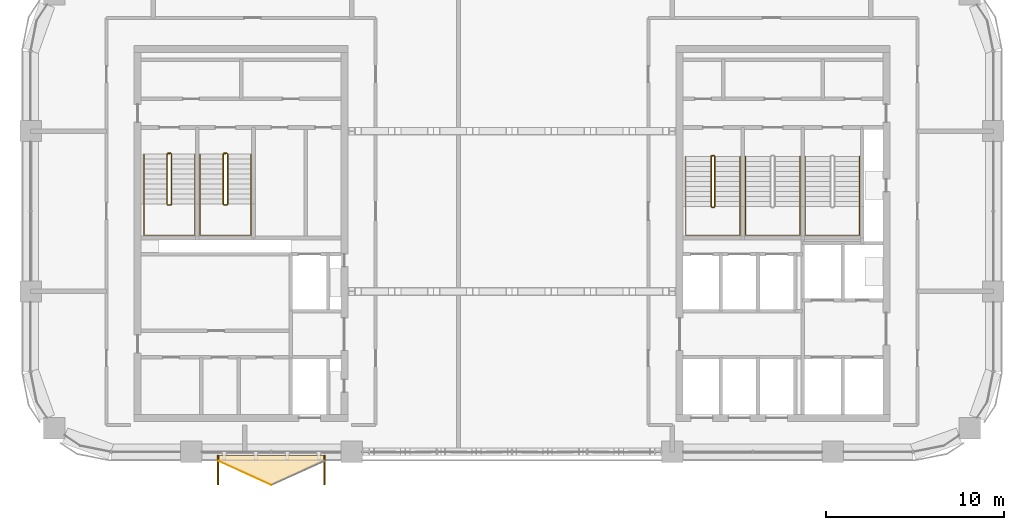
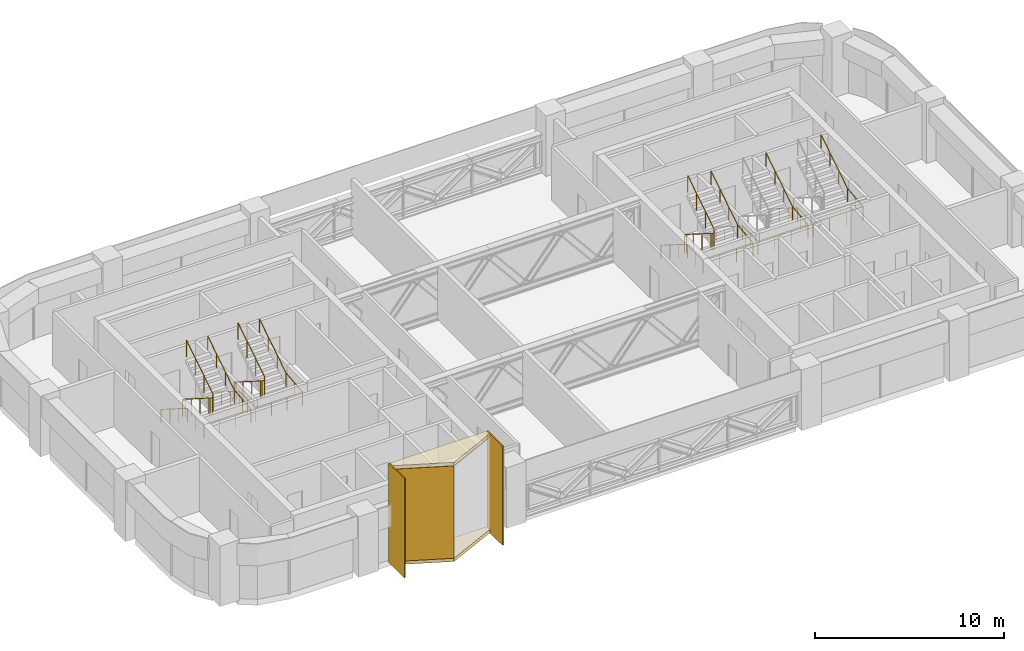
# One storey, part 13 of 14: 8 railings, 5 coverings.
"""IFC4 building model written with IfcOpenShell, lengths in metres."""

from ifc_helpers import new_model, si_unit, direction, frame, origin, origin_2d, place, context, subcontext, project, spatial, polyline, rectangle, circle, outline, extrude, material, layer, layer_set, type_object, element, save


model = new_model("IFC4")

# Units and contexts
model_context = context("Model", 3, precision=1e-05, world=origin(), true_north=direction((0.0, 1.0)))
body_context = subcontext(model_context, "Body", "Model", "MODEL_VIEW")
ifc_project = project(units=[si_unit("LENGTHUNIT", "METRE"), si_unit("AREAUNIT", "SQUARE_METRE"), si_unit("VOLUMEUNIT", "CUBIC_METRE"), si_unit("PLANEANGLEUNIT", "RADIAN"), si_unit("MASSUNIT", "GRAM", prefix="KILO")], contexts=[model_context])

# Site, building, storey
site_placement = place(None, origin())
site = spatial("IfcSite", under=ifc_project, at=site_placement, CompositionType="ELEMENT")
building_placement = place(site_placement, origin())
building = spatial("IfcBuilding", under=site, at=building_placement, Name="Tessera Arch", CompositionType="ELEMENT")
storey_placement = place(building_placement, frame((0.0, 0.0, 226.699951171875)))
storey = spatial("IfcBuildingStorey", under=building, at=storey_placement, Name="L54", CompositionType="ELEMENT", Elevation=226.699951171875)

# Railings
ifc_material_1 = material(Name="Painted steel balustrade", Category="steel")
railing_type_1 = type_object("IfcRailingType", Name="Stair guard 1100", PredefinedType="GUARDRAIL", material=ifc_material_1)
railing_1_placement = place(storey_placement, frame((38.219970703125, 43.6298828125, 0.0)))
element("IfcRailing", 1, at=railing_1_placement, inside=storey, type_object=railing_type_1, Name="L54 S1a stair guard 1", PredefinedType="GUARDRAIL", context=body_context, shape_type="SweptSolid", body=[
    extrude(circle(Radius=0.02392578125, at=origin_2d()), frame((-0.00390625, 0.0, 1.076171875), z_axis=(1.0, 0.0, 0.0), x_axis=(0.0, 1.0, 0.0)), (0.0, 0.0, 1.0), 0.1181640625),
    extrude(circle(Radius=0.02392578125, at=origin_2d()), frame((0.11279296875, 0.000732421875, 1.0732421875), z_axis=(-0.656319048605, -0.204099216335, 0.726353093426), x_axis=(0.296948579431, -0.954893471113, 0.0)), (0.0, 0.0, 1.0), 0.251953125),
    extrude(circle(Radius=0.02392578125, at=origin_2d()), frame((-0.050048828125, -0.04638671875, 1.251220703125), z_axis=(0.0, -0.844908973607, 0.534910110503), x_axis=(1.0, 0.0, 0.0)), (0.0, 0.0, 1.0), 3.322021484375),
    extrude(circle(Radius=0.02392578125, at=origin_2d()), frame((-0.052978515625, -2.846923828125, 3.02587890625), z_axis=(0.707106781187, -0.707106781187, 0.0), x_axis=(0.707106781187, 0.707106781187, 0.0)), (0.0, 0.0, 1.0), 0.078857421875),
    extrude(circle(Radius=0.02392578125, at=origin_2d()), frame((-0.00390625, -2.89990234375, 3.02587890625), z_axis=(1.0, 0.0, 0.0), x_axis=(0.0, 1.0, 0.0)), (0.0, 0.0, 1.0), 0.1181640625),
    extrude(circle(Radius=0.02392578125, at=origin_2d()), frame((0.109130859375, -2.90087890625, 3.022216796875), z_axis=(0.260731885961, 0.262009983441, 0.929176868105), x_axis=(-0.708833529934, 0.705375805398, 0.0)), (0.0, 0.0, 1.0), 0.198974609375),
    extrude(circle(Radius=0.02392578125, at=origin_2d()), frame((0.159912109375, -2.853271484375, 3.201416015625), z_axis=(0.0, 0.844908973607, 0.534910110503), x_axis=(-1.0, 0.0, 0.0)), (0.0, 0.0, 1.0), 3.322021484375),
    extrude(circle(Radius=0.02099609375, at=origin_2d()), origin(), (0.0, 0.0, 1.0), 1.06396484375),
    extrude(circle(Radius=0.02099609375, at=origin_2d()), frame((0.110107421875, 0.0, 0.0)), (0.0, 0.0, 1.0), 1.06396484375),
    extrude(circle(Radius=0.02099609375, at=origin_2d()), frame((-0.050048828125, -0.0498046875, 0.17724609375)), (0.0, 0.0, 1.0), 1.06396484375),
    extrude(circle(Radius=0.02099609375, at=origin_2d()), frame((-0.050048828125, -0.983154296875, 0.76806640625)), (0.0, 0.0, 1.0), 1.06396484375),
    extrude(circle(Radius=0.02099609375, at=origin_2d()), frame((-0.050048828125, -1.91650390625, 1.359130859375)), (0.0, 0.0, 1.0), 1.06396484375),
    extrude(circle(Radius=0.02099609375, at=origin_2d()), frame((-0.050048828125, -2.849853515625, 1.949951171875)), (0.0, 0.0, 1.0), 1.06396484375),
    extrude(circle(Radius=0.02099609375, at=origin_2d()), frame((0.0, -2.89990234375, 1.949951171875)), (0.0, 0.0, 1.0), 1.06396484375),
    extrude(circle(Radius=0.02099609375, at=origin_2d()), frame((0.110107421875, -2.89990234375, 1.949951171875)), (0.0, 0.0, 1.0), 1.06396484375),
    extrude(circle(Radius=0.02099609375, at=origin_2d()), frame((0.159912109375, -2.849853515625, 2.12744140625)), (0.0, 0.0, 1.0), 1.06396484375),
    extrude(circle(Radius=0.02099609375, at=origin_2d()), frame((0.159912109375, -1.91650390625, 2.71826171875)), (0.0, 0.0, 1.0), 1.06396484375),
    extrude(circle(Radius=0.02099609375, at=origin_2d()), frame((0.159912109375, -0.983154296875, 3.309326171875)), (0.0, 0.0, 1.0), 1.06396484375),
    extrude(circle(Radius=0.02099609375, at=origin_2d()), frame((0.159912109375, -0.0498046875, 3.900146484375)), (0.0, 0.0, 1.0), 1.06396484375),
])
railing_2_placement = place(storey_placement, frame((7.699951171875, 43.75, 0.0)))
element("IfcRailing", 2, at=railing_2_placement, inside=storey, type_object=railing_type_1, Name="L54 S2a stair guard 1", PredefinedType="GUARDRAIL", context=body_context, shape_type="SweptSolid", body=[
    extrude(circle(Radius=0.02392578125, at=origin_2d()), frame((-0.00390625, 0.0, 1.076171875), z_axis=(1.0, 0.0, 0.0), x_axis=(0.0, 1.0, 0.0)), (0.0, 0.0, 1.0), 0.158203125),
    extrude(circle(Radius=0.02392578125, at=origin_2d()), frame((0.153076171875, 0.000732421875, 1.073486328125), z_axis=(-0.735936453418, -0.183984113355, 0.651573006319), x_axis=(0.242535625036, -0.970142500145, 0.0)), (0.0, 0.0, 1.0), 0.280029296875),
    extrude(circle(Radius=0.02392578125, at=origin_2d()), frame((-0.050048828125, -0.046630859375, 1.251220703125), z_axis=(0.0, -0.844908973607, 0.534910110503), x_axis=(1.0, 0.0, 0.0)), (0.0, 0.0, 1.0), 3.322021484375),
    extrude(circle(Radius=0.02392578125, at=origin_2d()), frame((-0.052978515625, -2.84716796875, 3.02587890625), z_axis=(0.708833529934, -0.705375805398, 0.0), x_axis=(0.705375805398, 0.708833529934, 0.0)), (0.0, 0.0, 1.0), 0.07861328125),
    extrude(circle(Radius=0.02392578125, at=origin_2d()), frame((-0.00390625, -2.89990234375, 3.02587890625), z_axis=(1.0, 0.0, 0.0), x_axis=(0.0, 1.0, 0.0)), (0.0, 0.0, 1.0), 0.158203125),
    extrude(circle(Radius=0.02392578125, at=origin_2d()), frame((0.149169921875, -2.90087890625, 3.022216796875), z_axis=(0.26081902908, 0.26081902908, 0.92948742226), x_axis=(-0.707106781187, 0.707106781187, 0.0)), (0.0, 0.0, 1.0), 0.198974609375),
    extrude(circle(Radius=0.02392578125, at=origin_2d()), frame((0.199951171875, -2.853515625, 3.201416015625), z_axis=(0.0, 0.844908973607, 0.534910110503), x_axis=(-1.0, 0.0, 0.0)), (0.0, 0.0, 1.0), 3.322021484375),
    extrude(circle(Radius=0.02099609375, at=origin_2d()), origin(), (0.0, 0.0, 1.0), 1.06396484375),
    extrude(circle(Radius=0.02099609375, at=origin_2d()), frame((0.150146484375, 0.0, 0.0)), (0.0, 0.0, 1.0), 1.06396484375),
    extrude(circle(Radius=0.02099609375, at=origin_2d()), frame((-0.050048828125, -0.050048828125, 0.17724609375)), (0.0, 0.0, 1.0), 1.06396484375),
    extrude(circle(Radius=0.02099609375, at=origin_2d()), frame((-0.050048828125, -0.9833984375, 0.76806640625)), (0.0, 0.0, 1.0), 1.06396484375),
    extrude(circle(Radius=0.02099609375, at=origin_2d()), frame((-0.050048828125, -1.916748046875, 1.359130859375)), (0.0, 0.0, 1.0), 1.06396484375),
    extrude(circle(Radius=0.02099609375, at=origin_2d()), frame((-0.050048828125, -2.85009765625, 1.949951171875)), (0.0, 0.0, 1.0), 1.06396484375),
    extrude(circle(Radius=0.02099609375, at=origin_2d()), frame((0.0, -2.89990234375, 1.949951171875)), (0.0, 0.0, 1.0), 1.06396484375),
    extrude(circle(Radius=0.02099609375, at=origin_2d()), frame((0.150146484375, -2.89990234375, 1.949951171875)), (0.0, 0.0, 1.0), 1.06396484375),
    extrude(circle(Radius=0.02099609375, at=origin_2d()), frame((0.199951171875, -2.85009765625, 2.12744140625)), (0.0, 0.0, 1.0), 1.06396484375),
    extrude(circle(Radius=0.02099609375, at=origin_2d()), frame((0.199951171875, -1.916748046875, 2.71826171875)), (0.0, 0.0, 1.0), 1.06396484375),
    extrude(circle(Radius=0.02099609375, at=origin_2d()), frame((0.199951171875, -0.9833984375, 3.309326171875)), (0.0, 0.0, 1.0), 1.06396484375),
    extrude(circle(Radius=0.02099609375, at=origin_2d()), frame((0.199951171875, -0.050048828125, 3.900146484375)), (0.0, 0.0, 1.0), 1.06396484375),
])
railing_3_placement = place(storey_placement, frame((10.85009765625, 43.75, 0.0)))
element("IfcRailing", 3, at=railing_3_placement, inside=storey, type_object=railing_type_1, Name="L54 S2b stair guard 1", PredefinedType="GUARDRAIL", context=body_context, shape_type="SweptSolid", body=[
    extrude(circle(Radius=0.02392578125, at=origin_2d()), frame((-0.00390625, 0.0, 1.076171875), z_axis=(1.0, 0.0, 0.0), x_axis=(0.0, 1.0, 0.0)), (0.0, 0.0, 1.0), 0.157958984375),
    extrude(circle(Radius=0.02392578125, at=origin_2d()), frame((0.15283203125, 0.000732421875, 1.073486328125), z_axis=(-0.735524641326, -0.184105679453, 0.652003528208), x_axis=(0.242814311512, -0.970072785993, 0.0)), (0.0, 0.0, 1.0), 0.27978515625),
    extrude(circle(Radius=0.02392578125, at=origin_2d()), frame((-0.050048828125, -0.046630859375, 1.251220703125), z_axis=(0.0, -0.844908973607, 0.534910110503), x_axis=(1.0, 0.0, 0.0)), (0.0, 0.0, 1.0), 3.322021484375),
    extrude(circle(Radius=0.02392578125, at=origin_2d()), frame((-0.052978515625, -2.84716796875, 3.02587890625), z_axis=(0.708833529934, -0.705375805398, 0.0), x_axis=(0.705375805398, 0.708833529934, 0.0)), (0.0, 0.0, 1.0), 0.07861328125),
    extrude(circle(Radius=0.02392578125, at=origin_2d()), frame((-0.00390625, -2.89990234375, 3.02587890625), z_axis=(1.0, 0.0, 0.0), x_axis=(0.0, 1.0, 0.0)), (0.0, 0.0, 1.0), 0.157958984375),
    extrude(circle(Radius=0.02392578125, at=origin_2d()), frame((0.14892578125, -2.90087890625, 3.022216796875), z_axis=(0.262009983441, 0.260731885961, 0.929176868105), x_axis=(-0.705375805398, 0.708833529934, 0.0)), (0.0, 0.0, 1.0), 0.198974609375),
    extrude(circle(Radius=0.02392578125, at=origin_2d()), frame((0.199951171875, -2.853515625, 3.201416015625), z_axis=(0.0, 0.844908973607, 0.534910110503), x_axis=(-1.0, 0.0, 0.0)), (0.0, 0.0, 1.0), 3.322021484375),
    extrude(circle(Radius=0.02099609375, at=origin_2d()), origin(), (0.0, 0.0, 1.0), 1.06396484375),
    extrude(circle(Radius=0.02099609375, at=origin_2d()), frame((0.14990234375, 0.0, 0.0)), (0.0, 0.0, 1.0), 1.06396484375),
    extrude(circle(Radius=0.02099609375, at=origin_2d()), frame((-0.050048828125, -0.050048828125, 0.17724609375)), (0.0, 0.0, 1.0), 1.06396484375),
    extrude(circle(Radius=0.02099609375, at=origin_2d()), frame((-0.050048828125, -0.9833984375, 0.76806640625)), (0.0, 0.0, 1.0), 1.06396484375),
    extrude(circle(Radius=0.02099609375, at=origin_2d()), frame((-0.050048828125, -1.916748046875, 1.359130859375)), (0.0, 0.0, 1.0), 1.06396484375),
    extrude(circle(Radius=0.02099609375, at=origin_2d()), frame((-0.050048828125, -2.85009765625, 1.949951171875)), (0.0, 0.0, 1.0), 1.06396484375),
    extrude(circle(Radius=0.02099609375, at=origin_2d()), frame((0.0, -2.89990234375, 1.949951171875)), (0.0, 0.0, 1.0), 1.06396484375),
    extrude(circle(Radius=0.02099609375, at=origin_2d()), frame((0.14990234375, -2.89990234375, 1.949951171875)), (0.0, 0.0, 1.0), 1.06396484375),
    extrude(circle(Radius=0.02099609375, at=origin_2d()), frame((0.199951171875, -2.85009765625, 2.12744140625)), (0.0, 0.0, 1.0), 1.06396484375),
    extrude(circle(Radius=0.02099609375, at=origin_2d()), frame((0.199951171875, -1.916748046875, 2.71826171875)), (0.0, 0.0, 1.0), 1.06396484375),
    extrude(circle(Radius=0.02099609375, at=origin_2d()), frame((0.199951171875, -0.9833984375, 3.309326171875)), (0.0, 0.0, 1.0), 1.06396484375),
    extrude(circle(Radius=0.02099609375, at=origin_2d()), frame((0.199951171875, -0.050048828125, 3.900146484375)), (0.0, 0.0, 1.0), 1.06396484375),
])
ifc_material_2 = material(Name="Painted steel handrail", Category="steel")
railing_type_2 = type_object("IfcRailingType", Name="Stair handrail 900", PredefinedType="HANDRAIL", material=ifc_material_2)
railing_4_placement = place(storey_placement, frame((36.75, 43.580078125, 0.17724609375)))
element("IfcRailing", 4, at=railing_4_placement, inside=storey, type_object=railing_type_2, Name="L54 S1a stair handrail", PredefinedType="HANDRAIL", context=body_context, shape_type="SweptSolid", body=[
    extrude(circle(Radius=0.02392578125, at=origin_2d()), frame((0.0, 0.00341796875, 0.873779296875), z_axis=(0.0, -0.844908973607, 0.534910110503), x_axis=(1.0, 0.0, 0.0)), (0.0, 0.0, 1.0), 3.322021484375),
    extrude(circle(Radius=0.02392578125, at=origin_2d()), frame((0.0, -2.796142578125, 2.6484375), z_axis=(0.0, -1.0, 0.0), x_axis=(1.0, 0.0, 0.0)), (0.0, 0.0, 1.0), 1.63818359375),
    extrude(circle(Radius=0.02392578125, at=origin_2d()), frame((-0.00390625, -4.43017578125, 2.6484375), z_axis=(1.0, 0.0, 0.0), x_axis=(0.0, 1.0, 0.0)), (0.0, 0.0, 1.0), 3.05810546875),
    extrude(circle(Radius=0.02392578125, at=origin_2d()), frame((3.050048828125, -4.43408203125, 2.648193359375), z_axis=(0.0, 0.994124627078, 0.108241516233), x_axis=(-1.0, 0.0, 0.0)), (0.0, 0.0, 1.0), 1.647705078125),
    extrude(circle(Radius=0.02392578125, at=origin_2d()), frame((3.050048828125, -2.803466796875, 2.823974609375), z_axis=(0.0, 0.844908973607, 0.534910110503), x_axis=(-1.0, 0.0, 0.0)), (0.0, 0.0, 1.0), 3.322021484375),
    extrude(circle(Radius=0.02099609375, at=origin_2d()), origin(), (0.0, 0.0, 1.0), 0.86376953125),
    extrude(circle(Radius=0.02099609375, at=origin_2d()), frame((0.0, -0.933349609375, 0.5908203125)), (0.0, 0.0, 1.0), 0.86376953125),
    extrude(circle(Radius=0.02099609375, at=origin_2d()), frame((0.0, -1.86669921875, 1.181884765625)), (0.0, 0.0, 1.0), 0.86376953125),
    extrude(circle(Radius=0.02099609375, at=origin_2d()), frame((0.0, -2.800048828125, 1.772705078125)), (0.0, 0.0, 1.0), 0.86376953125),
    extrude(circle(Radius=0.02099609375, at=origin_2d()), frame((0.0, -3.615234375, 1.772705078125)), (0.0, 0.0, 1.0), 0.86376953125),
    extrude(circle(Radius=0.02099609375, at=origin_2d()), frame((0.0, -4.43017578125, 1.772705078125)), (0.0, 0.0, 1.0), 0.86376953125),
    extrude(circle(Radius=0.02099609375, at=origin_2d()), frame((1.0166015625, -4.43017578125, 1.772705078125)), (0.0, 0.0, 1.0), 0.86376953125),
    extrude(circle(Radius=0.02099609375, at=origin_2d()), frame((2.033447265625, -4.43017578125, 1.772705078125)), (0.0, 0.0, 1.0), 0.86376953125),
    extrude(circle(Radius=0.02099609375, at=origin_2d()), frame((3.050048828125, -4.43017578125, 1.772705078125)), (0.0, 0.0, 1.0), 0.86376953125),
    extrude(circle(Radius=0.02099609375, at=origin_2d()), frame((3.050048828125, -3.615234375, 1.861328125)), (0.0, 0.0, 1.0), 0.86376953125),
    extrude(circle(Radius=0.02099609375, at=origin_2d()), frame((3.050048828125, -2.800048828125, 1.9501953125)), (0.0, 0.0, 1.0), 0.86376953125),
    extrude(circle(Radius=0.02099609375, at=origin_2d()), frame((3.050048828125, -1.86669921875, 2.541015625)), (0.0, 0.0, 1.0), 0.86376953125),
    extrude(circle(Radius=0.02099609375, at=origin_2d()), frame((3.050048828125, -0.933349609375, 3.132080078125)), (0.0, 0.0, 1.0), 0.86376953125),
    extrude(circle(Radius=0.02099609375, at=origin_2d()), frame((3.050048828125, 0.0, 3.722900390625)), (0.0, 0.0, 1.0), 0.86376953125),
])
railing_5_placement = place(storey_placement, frame((40.10009765625, 43.580078125, 0.17724609375)))
element("IfcRailing", 5, at=railing_5_placement, inside=storey, type_object=railing_type_2, Name="L54 S1b stair handrail", PredefinedType="HANDRAIL", context=body_context, shape_type="SweptSolid", body=[
    extrude(circle(Radius=0.02392578125, at=origin_2d()), frame((0.0, 0.00341796875, 0.873779296875), z_axis=(0.0, -0.844908973607, 0.534910110503), x_axis=(1.0, 0.0, 0.0)), (0.0, 0.0, 1.0), 3.322021484375),
    extrude(circle(Radius=0.02392578125, at=origin_2d()), frame((0.0, -2.796142578125, 2.6484375), z_axis=(0.0, -1.0, 0.0), x_axis=(1.0, 0.0, 0.0)), (0.0, 0.0, 1.0), 1.63818359375),
    extrude(circle(Radius=0.02392578125, at=origin_2d()), frame((-0.00390625, -4.43017578125, 2.6484375), z_axis=(1.0, 0.0, 0.0), x_axis=(0.0, 1.0, 0.0)), (0.0, 0.0, 1.0), 3.057861328125),
    extrude(circle(Radius=0.02392578125, at=origin_2d()), frame((3.0498046875, -4.43408203125, 2.648193359375), z_axis=(0.0, 0.994124627078, 0.108241516233), x_axis=(-1.0, 0.0, 0.0)), (0.0, 0.0, 1.0), 1.647705078125),
    extrude(circle(Radius=0.02392578125, at=origin_2d()), frame((3.0498046875, -2.803466796875, 2.823974609375), z_axis=(0.0, 0.844908973607, 0.534910110503), x_axis=(-1.0, 0.0, 0.0)), (0.0, 0.0, 1.0), 3.322021484375),
    extrude(circle(Radius=0.02099609375, at=origin_2d()), origin(), (0.0, 0.0, 1.0), 0.86376953125),
    extrude(circle(Radius=0.02099609375, at=origin_2d()), frame((0.0, -0.933349609375, 0.5908203125)), (0.0, 0.0, 1.0), 0.86376953125),
    extrude(circle(Radius=0.02099609375, at=origin_2d()), frame((0.0, -1.86669921875, 1.181884765625)), (0.0, 0.0, 1.0), 0.86376953125),
    extrude(circle(Radius=0.02099609375, at=origin_2d()), frame((0.0, -2.800048828125, 1.772705078125)), (0.0, 0.0, 1.0), 0.86376953125),
    extrude(circle(Radius=0.02099609375, at=origin_2d()), frame((0.0, -3.615234375, 1.772705078125)), (0.0, 0.0, 1.0), 0.86376953125),
    extrude(circle(Radius=0.02099609375, at=origin_2d()), frame((0.0, -4.43017578125, 1.772705078125)), (0.0, 0.0, 1.0), 0.86376953125),
    extrude(circle(Radius=0.02099609375, at=origin_2d()), frame((1.0166015625, -4.43017578125, 1.772705078125)), (0.0, 0.0, 1.0), 0.86376953125),
    extrude(circle(Radius=0.02099609375, at=origin_2d()), frame((2.033203125, -4.43017578125, 1.772705078125)), (0.0, 0.0, 1.0), 0.86376953125),
    extrude(circle(Radius=0.02099609375, at=origin_2d()), frame((3.0498046875, -4.43017578125, 1.772705078125)), (0.0, 0.0, 1.0), 0.86376953125),
    extrude(circle(Radius=0.02099609375, at=origin_2d()), frame((3.0498046875, -3.615234375, 1.861328125)), (0.0, 0.0, 1.0), 0.86376953125),
    extrude(circle(Radius=0.02099609375, at=origin_2d()), frame((3.0498046875, -2.800048828125, 1.9501953125)), (0.0, 0.0, 1.0), 0.86376953125),
    extrude(circle(Radius=0.02099609375, at=origin_2d()), frame((3.0498046875, -1.86669921875, 2.541015625)), (0.0, 0.0, 1.0), 0.86376953125),
    extrude(circle(Radius=0.02099609375, at=origin_2d()), frame((3.0498046875, -0.933349609375, 3.132080078125)), (0.0, 0.0, 1.0), 0.86376953125),
    extrude(circle(Radius=0.02099609375, at=origin_2d()), frame((3.0498046875, 0.0, 3.722900390625)), (0.0, 0.0, 1.0), 0.86376953125),
])
railing_6_placement = place(storey_placement, frame((43.449951171875, 43.580078125, 0.17724609375)))
element("IfcRailing", 6, at=railing_6_placement, inside=storey, type_object=railing_type_2, Name="L54 S1c stair handrail", PredefinedType="HANDRAIL", context=body_context, shape_type="SweptSolid", body=[
    extrude(circle(Radius=0.02392578125, at=origin_2d()), frame((0.0, 0.00341796875, 0.873779296875), z_axis=(0.0, -0.844908973607, 0.534910110503), x_axis=(1.0, 0.0, 0.0)), (0.0, 0.0, 1.0), 3.322021484375),
    extrude(circle(Radius=0.02392578125, at=origin_2d()), frame((0.0, -2.796142578125, 2.6484375), z_axis=(0.0, -1.0, 0.0), x_axis=(1.0, 0.0, 0.0)), (0.0, 0.0, 1.0), 1.63818359375),
    extrude(circle(Radius=0.02392578125, at=origin_2d()), frame((-0.00390625, -4.43017578125, 2.6484375), z_axis=(1.0, 0.0, 0.0), x_axis=(0.0, 1.0, 0.0)), (0.0, 0.0, 1.0), 3.05810546875),
    extrude(circle(Radius=0.02392578125, at=origin_2d()), frame((3.050048828125, -4.43408203125, 2.648193359375), z_axis=(0.0, 0.994124627078, 0.108241516233), x_axis=(-1.0, 0.0, 0.0)), (0.0, 0.0, 1.0), 1.647705078125),
    extrude(circle(Radius=0.02392578125, at=origin_2d()), frame((3.050048828125, -2.803466796875, 2.823974609375), z_axis=(0.0, 0.844908973607, 0.534910110503), x_axis=(-1.0, 0.0, 0.0)), (0.0, 0.0, 1.0), 3.322021484375),
    extrude(circle(Radius=0.02099609375, at=origin_2d()), origin(), (0.0, 0.0, 1.0), 0.86376953125),
    extrude(circle(Radius=0.02099609375, at=origin_2d()), frame((0.0, -0.933349609375, 0.5908203125)), (0.0, 0.0, 1.0), 0.86376953125),
    extrude(circle(Radius=0.02099609375, at=origin_2d()), frame((0.0, -1.86669921875, 1.181884765625)), (0.0, 0.0, 1.0), 0.86376953125),
    extrude(circle(Radius=0.02099609375, at=origin_2d()), frame((0.0, -2.800048828125, 1.772705078125)), (0.0, 0.0, 1.0), 0.86376953125),
    extrude(circle(Radius=0.02099609375, at=origin_2d()), frame((0.0, -3.615234375, 1.772705078125)), (0.0, 0.0, 1.0), 0.86376953125),
    extrude(circle(Radius=0.02099609375, at=origin_2d()), frame((0.0, -4.43017578125, 1.772705078125)), (0.0, 0.0, 1.0), 0.86376953125),
    extrude(circle(Radius=0.02099609375, at=origin_2d()), frame((1.0166015625, -4.43017578125, 1.772705078125)), (0.0, 0.0, 1.0), 0.86376953125),
    extrude(circle(Radius=0.02099609375, at=origin_2d()), frame((2.033447265625, -4.43017578125, 1.772705078125)), (0.0, 0.0, 1.0), 0.86376953125),
    extrude(circle(Radius=0.02099609375, at=origin_2d()), frame((3.050048828125, -4.43017578125, 1.772705078125)), (0.0, 0.0, 1.0), 0.86376953125),
    extrude(circle(Radius=0.02099609375, at=origin_2d()), frame((3.050048828125, -3.615234375, 1.861328125)), (0.0, 0.0, 1.0), 0.86376953125),
    extrude(circle(Radius=0.02099609375, at=origin_2d()), frame((3.050048828125, -2.800048828125, 1.9501953125)), (0.0, 0.0, 1.0), 0.86376953125),
    extrude(circle(Radius=0.02099609375, at=origin_2d()), frame((3.050048828125, -1.86669921875, 2.541015625)), (0.0, 0.0, 1.0), 0.86376953125),
    extrude(circle(Radius=0.02099609375, at=origin_2d()), frame((3.050048828125, -0.933349609375, 3.132080078125)), (0.0, 0.0, 1.0), 0.86376953125),
    extrude(circle(Radius=0.02099609375, at=origin_2d()), frame((3.050048828125, 0.0, 3.722900390625)), (0.0, 0.0, 1.0), 0.86376953125),
])
railing_7_placement = place(storey_placement, frame((6.35009765625, 43.699951171875, 0.17724609375)))
element("IfcRailing", 7, at=railing_7_placement, inside=storey, type_object=railing_type_2, Name="L54 S2a stair handrail", PredefinedType="HANDRAIL", context=body_context, shape_type="SweptSolid", body=[
    extrude(circle(Radius=0.02392578125, at=origin_2d()), frame((0.0, 0.00341796875, 0.873779296875), z_axis=(0.0, -0.844908973607, 0.534910110503), x_axis=(1.0, 0.0, 0.0)), (0.0, 0.0, 1.0), 3.322021484375),
    extrude(circle(Radius=0.02392578125, at=origin_2d()), frame((0.0, -2.796142578125, 2.6484375), z_axis=(0.0, -1.0, 0.0), x_axis=(1.0, 0.0, 0.0)), (0.0, 0.0, 1.0), 1.758056640625),
    extrude(circle(Radius=0.02392578125, at=origin_2d()), frame((-0.00390625, -4.550048828125, 2.6484375), z_axis=(1.0, 0.0, 0.0), x_axis=(0.0, 1.0, 0.0)), (0.0, 0.0, 1.0), 2.85791015625),
    extrude(circle(Radius=0.02392578125, at=origin_2d()), frame((2.849853515625, -4.553955078125, 2.648193359375), z_axis=(0.0, 0.994896031807, 0.100905331351), x_axis=(-1.0, 0.0, 0.0)), (0.0, 0.0, 1.0), 1.76708984375),
    extrude(circle(Radius=0.02392578125, at=origin_2d()), frame((2.849853515625, -2.803466796875, 2.823974609375), z_axis=(0.0, 0.844908973607, 0.534910110503), x_axis=(-1.0, 0.0, 0.0)), (0.0, 0.0, 1.0), 3.322021484375),
    extrude(circle(Radius=0.02099609375, at=origin_2d()), origin(), (0.0, 0.0, 1.0), 0.86376953125),
    extrude(circle(Radius=0.02099609375, at=origin_2d()), frame((0.0, -0.933349609375, 0.5908203125)), (0.0, 0.0, 1.0), 0.86376953125),
    extrude(circle(Radius=0.02099609375, at=origin_2d()), frame((0.0, -1.86669921875, 1.181884765625)), (0.0, 0.0, 1.0), 0.86376953125),
    extrude(circle(Radius=0.02099609375, at=origin_2d()), frame((0.0, -2.800048828125, 1.772705078125)), (0.0, 0.0, 1.0), 0.86376953125),
    extrude(circle(Radius=0.02099609375, at=origin_2d()), frame((0.0, -3.675048828125, 1.772705078125)), (0.0, 0.0, 1.0), 0.86376953125),
    extrude(circle(Radius=0.02099609375, at=origin_2d()), frame((0.0, -4.550048828125, 1.772705078125)), (0.0, 0.0, 1.0), 0.86376953125),
    extrude(circle(Radius=0.02099609375, at=origin_2d()), frame((0.949951171875, -4.550048828125, 1.772705078125)), (0.0, 0.0, 1.0), 0.86376953125),
    extrude(circle(Radius=0.02099609375, at=origin_2d()), frame((1.89990234375, -4.550048828125, 1.772705078125)), (0.0, 0.0, 1.0), 0.86376953125),
    extrude(circle(Radius=0.02099609375, at=origin_2d()), frame((2.849853515625, -4.550048828125, 1.772705078125)), (0.0, 0.0, 1.0), 0.86376953125),
    extrude(circle(Radius=0.02099609375, at=origin_2d()), frame((2.849853515625, -3.675048828125, 1.861328125)), (0.0, 0.0, 1.0), 0.86376953125),
    extrude(circle(Radius=0.02099609375, at=origin_2d()), frame((2.849853515625, -2.800048828125, 1.9501953125)), (0.0, 0.0, 1.0), 0.86376953125),
    extrude(circle(Radius=0.02099609375, at=origin_2d()), frame((2.849853515625, -1.86669921875, 2.541015625)), (0.0, 0.0, 1.0), 0.86376953125),
    extrude(circle(Radius=0.02099609375, at=origin_2d()), frame((2.849853515625, -0.933349609375, 3.132080078125)), (0.0, 0.0, 1.0), 0.86376953125),
    extrude(circle(Radius=0.02099609375, at=origin_2d()), frame((2.849853515625, 0.0, 3.722900390625)), (0.0, 0.0, 1.0), 0.86376953125),
])
railing_8_placement = place(storey_placement, frame((9.5, 43.699951171875, 0.17724609375)))
element("IfcRailing", 8, at=railing_8_placement, inside=storey, type_object=railing_type_2, Name="L54 S2b stair handrail", PredefinedType="HANDRAIL", context=body_context, shape_type="SweptSolid", body=[
    extrude(circle(Radius=0.02392578125, at=origin_2d()), frame((0.0, 0.00341796875, 0.873779296875), z_axis=(0.0, -0.844908973607, 0.534910110503), x_axis=(1.0, 0.0, 0.0)), (0.0, 0.0, 1.0), 3.322021484375),
    extrude(circle(Radius=0.02392578125, at=origin_2d()), frame((0.0, -2.796142578125, 2.6484375), z_axis=(0.0, -1.0, 0.0), x_axis=(1.0, 0.0, 0.0)), (0.0, 0.0, 1.0), 1.758056640625),
    extrude(circle(Radius=0.02392578125, at=origin_2d()), frame((-0.00390625, -4.550048828125, 2.6484375), z_axis=(1.0, 0.0, 0.0), x_axis=(0.0, 1.0, 0.0)), (0.0, 0.0, 1.0), 2.858154296875),
    extrude(circle(Radius=0.02392578125, at=origin_2d()), frame((2.85009765625, -4.553955078125, 2.648193359375), z_axis=(0.0, 0.994896031807, 0.100905331351), x_axis=(-1.0, 0.0, 0.0)), (0.0, 0.0, 1.0), 1.76708984375),
    extrude(circle(Radius=0.02392578125, at=origin_2d()), frame((2.85009765625, -2.803466796875, 2.823974609375), z_axis=(0.0, 0.844908973607, 0.534910110503), x_axis=(-1.0, 0.0, 0.0)), (0.0, 0.0, 1.0), 3.322021484375),
    extrude(circle(Radius=0.02099609375, at=origin_2d()), origin(), (0.0, 0.0, 1.0), 0.86376953125),
    extrude(circle(Radius=0.02099609375, at=origin_2d()), frame((0.0, -0.933349609375, 0.5908203125)), (0.0, 0.0, 1.0), 0.86376953125),
    extrude(circle(Radius=0.02099609375, at=origin_2d()), frame((0.0, -1.86669921875, 1.181884765625)), (0.0, 0.0, 1.0), 0.86376953125),
    extrude(circle(Radius=0.02099609375, at=origin_2d()), frame((0.0, -2.800048828125, 1.772705078125)), (0.0, 0.0, 1.0), 0.86376953125),
    extrude(circle(Radius=0.02099609375, at=origin_2d()), frame((0.0, -3.675048828125, 1.772705078125)), (0.0, 0.0, 1.0), 0.86376953125),
    extrude(circle(Radius=0.02099609375, at=origin_2d()), frame((0.0, -4.550048828125, 1.772705078125)), (0.0, 0.0, 1.0), 0.86376953125),
    extrude(circle(Radius=0.02099609375, at=origin_2d()), frame((0.949951171875, -4.550048828125, 1.772705078125)), (0.0, 0.0, 1.0), 0.86376953125),
    extrude(circle(Radius=0.02099609375, at=origin_2d()), frame((1.900146484375, -4.550048828125, 1.772705078125)), (0.0, 0.0, 1.0), 0.86376953125),
    extrude(circle(Radius=0.02099609375, at=origin_2d()), frame((2.85009765625, -4.550048828125, 1.772705078125)), (0.0, 0.0, 1.0), 0.86376953125),
    extrude(circle(Radius=0.02099609375, at=origin_2d()), frame((2.85009765625, -3.675048828125, 1.861328125)), (0.0, 0.0, 1.0), 0.86376953125),
    extrude(circle(Radius=0.02099609375, at=origin_2d()), frame((2.85009765625, -2.800048828125, 1.9501953125)), (0.0, 0.0, 1.0), 0.86376953125),
    extrude(circle(Radius=0.02099609375, at=origin_2d()), frame((2.85009765625, -1.86669921875, 2.541015625)), (0.0, 0.0, 1.0), 0.86376953125),
    extrude(circle(Radius=0.02099609375, at=origin_2d()), frame((2.85009765625, -0.933349609375, 3.132080078125)), (0.0, 0.0, 1.0), 0.86376953125),
    extrude(circle(Radius=0.02099609375, at=origin_2d()), frame((2.85009765625, 0.0, 3.722900390625)), (0.0, 0.0, 1.0), 0.86376953125),
])

# Coverings
ifc_material_3 = material(Name="Anodised aluminium pale metal", Category="aluminium")
ifc_layer_1 = layer(ifc_material_3, 0.080078125)
ifc_layer_set_1 = layer_set([ifc_layer_1], Name="Window box cheek")
covering_type_1 = type_object("IfcCoveringType", Name="Window box cheek", PredefinedType="CLADDING", material=ifc_layer_set_1)
covering_1_placement = place(storey_placement, origin())
element("IfcCovering", 9, at=covering_1_placement, inside=storey, type_object=covering_type_1, Name="Window box S27.0/1.0 2x2 cheek", PredefinedType="CLADDING", context=body_context, shape_type="SweptSolid", body=[
    extrude(outline(polyline([(10.469970703125, 25.14990234375), (10.550048828125, 25.14990234375), (10.550048828125, 26.800048828125), (10.469970703125, 26.800048828125), (10.469970703125, 25.14990234375)])), origin(), (0.0, 0.0, 1.0), 6.39013671875),
])
covering_2_placement = place(storey_placement, origin())
element("IfcCovering", 10, at=covering_2_placement, inside=storey, type_object=covering_type_1, Name="Window box S27.0/1.0 2x2 cheek", PredefinedType="CLADDING", context=body_context, shape_type="SweptSolid", body=[
    extrude(outline(polyline([(16.449951171875, 25.14990234375), (16.530029296875, 25.14990234375), (16.530029296875, 26.800048828125), (16.449951171875, 26.800048828125), (16.449951171875, 25.14990234375)])), origin(), (0.0, 0.0, 1.0), 6.39013671875),
])
ifc_material_4 = material(Name="Anodised aluminium gold", Category="aluminium")
ifc_layer_2 = layer(ifc_material_4, 0.219970703125)
ifc_layer_set_2 = layer_set([ifc_layer_2], Name="Window box frame plate gold")
covering_type_2 = type_object("IfcCoveringType", Name="Window box frame plate gold", PredefinedType="CLADDING", material=ifc_layer_set_2)
for number, where, name in (
    (11, (0.0, 0.0, 0.0), "Window box S27.0/1.0 2x2 floor"),
    (12, (0.0, 0.0, 6.170166015625), "Window box S27.0/1.0 2x2 roof"),
):
    element("IfcCovering", number, at=place(storey_placement, frame(where)), inside=storey, type_object=covering_type_2, Name=name, PredefinedType="CLADDING", context=body_context, shape_type="SweptSolid", body=[
        extrude(outline(polyline([(10.550048828125, 26.489990234375), (13.5, 25.14990234375), (16.449951171875, 26.489990234375), (16.449951171875, 26.800048828125), (10.550048828125, 26.800048828125), (10.550048828125, 26.489990234375)])), origin(), (0.0, 0.0, 1.0), 0.219970703125),
    ])
ifc_material_5 = material(Name="Anodised aluminium pale metal", Category="aluminium")
ifc_layer_3 = layer(ifc_material_5, 0.028076171875)
ifc_layer_set_3 = layer_set([ifc_layer_3], Name="Window box side panel")
covering_type_3 = type_object("IfcCoveringType", Name="Window box side panel", PredefinedType="CLADDING", material=ifc_layer_set_3)
covering_3_placement = place(storey_placement, frame((12.02490234375, 25.820068359375, 0.22021484375), z_axis=(0.0, 0.0, 1.0), x_axis=(0.910472144558, -0.413570397858, 0.0)))
element("IfcCovering", 13, at=covering_3_placement, inside=storey, type_object=covering_type_3, Name="Window box S27.0/1.0 2x2 side panel", PredefinedType="CLADDING", context=body_context, shape_type="SweptSolid", body=[
    extrude(rectangle(XDim=3.239990234375, YDim=0.028076171875, at=origin_2d()), origin(), (0.0, 0.0, 1.0), 5.949951171875),
])

save(model, "model.ifc")
